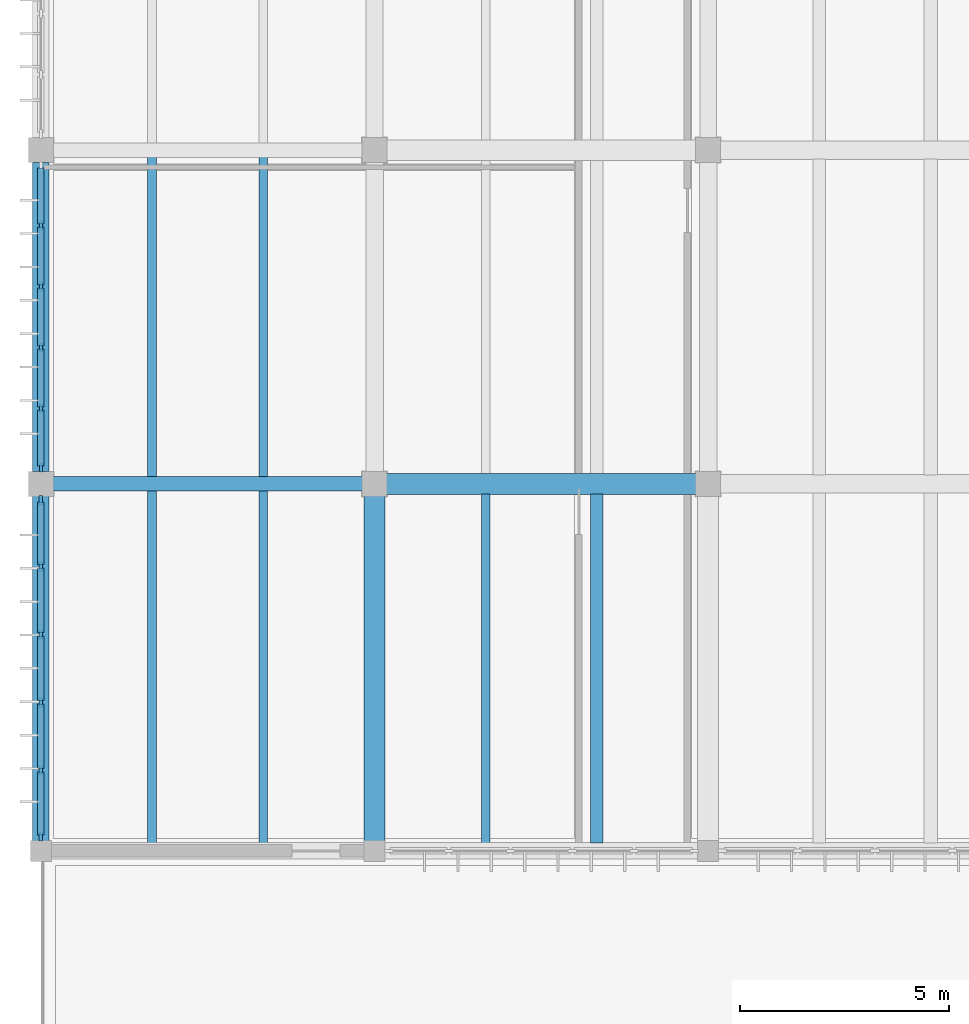
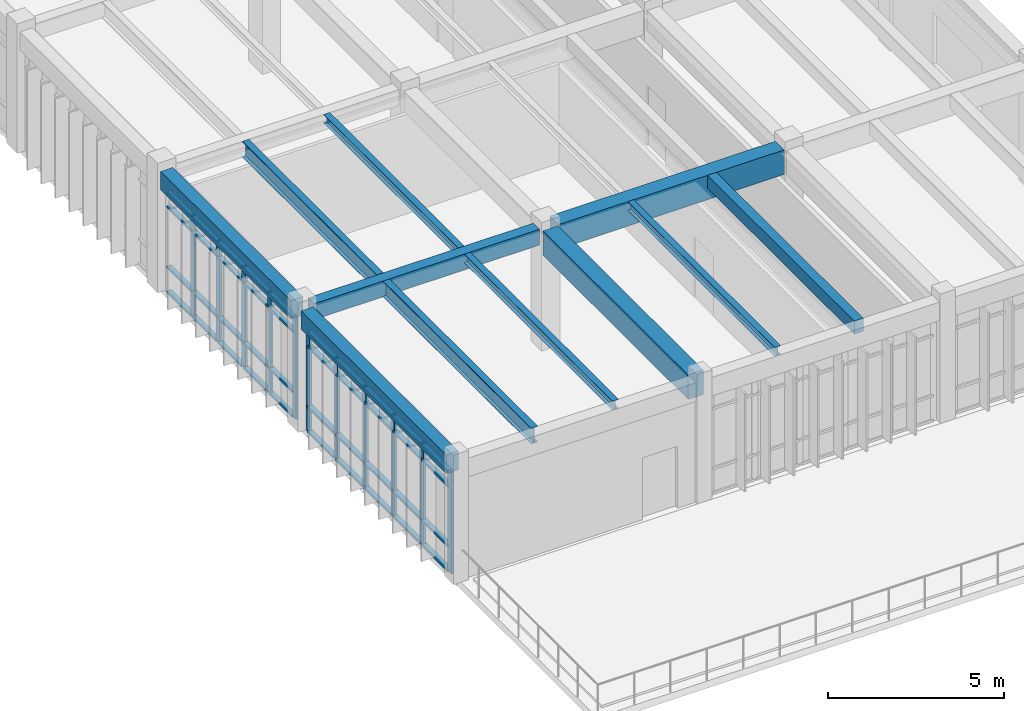
# One storey, part 5 of 72: 51 members, 11 beams, 2 elements without a shape of their own.
"""IFC4 building model written with IfcOpenShell, lengths in metres."""

from ifc_helpers import new_model, si_unit, direction, frame, origin, origin_2d, place, context, subcontext, project, spatial, rectangle, i_section, extrude, material, material_profile, profile_set, type_object, element, aggregate, save


model = new_model("IFC4")

# Units and contexts
model_context = context("Model", 3, precision=1e-05, world=origin(), true_north=direction((0.0, 1.0)))
body_context = subcontext(model_context, "Body", "Model", "MODEL_VIEW")
ifc_project = project(units=[si_unit("LENGTHUNIT", "METRE"), si_unit("AREAUNIT", "SQUARE_METRE"), si_unit("VOLUMEUNIT", "CUBIC_METRE"), si_unit("PLANEANGLEUNIT", "RADIAN"), si_unit("MASSUNIT", "GRAM", prefix="KILO")], contexts=[model_context])

# Site, building, storey
site_placement = place(None, origin())
site = spatial("IfcSite", under=ifc_project, at=site_placement, CompositionType="ELEMENT")
building_placement = place(site_placement, origin())
building = spatial("IfcBuilding", under=site, at=building_placement, Name="Tlaxcora Railside Police Headquarters", CompositionType="ELEMENT")
storey_placement = place(building_placement, frame((0.0, 0.0, 13.5)))
storey = spatial("IfcBuildingStorey", under=building, at=storey_placement, Name="L03", CompositionType="ELEMENT", Elevation=13.5)

# Curtain wall, members
ifc_material_1 = material(Name="Thermally broken low-E insulated glazing", Category="glass")
curtain_wall_type_1 = type_object("IfcCurtainWallType", Name="Unitised Curtain Wall Assembly CW-15", PredefinedType="NOTDEFINED", material=ifc_material_1)
curtain_wall_1_placement = place(storey_placement, origin())
curtain_wall_1 = element("IfcCurtainWall", 1, at=curtain_wall_1_placement, inside=storey, type_object=curtain_wall_type_1, Name="V5 L03 curtain wall 86", PredefinedType="NOTDEFINED")
ifc_material_2 = material(Name="Anodised aluminium framing", Category="aluminium")
ifc_material_profile_1 = material_profile(ifc_material_2, rectangle(XDim=0.074951171875, YDim=0.199951171875, at=origin_2d()), Name="AL75X200")
ifc_profile_set_1 = profile_set([ifc_material_profile_1], Name="Anodised aluminium framing")
member_type_1 = type_object("IfcMemberType", Name="Curtain Wall Mullion CW-58", PredefinedType="MULLION", material=ifc_profile_set_1)
member_1_placement = place(storey_placement, frame((5.199951171875, 66.989990234375, 0.0), z_axis=(0.0, 0.0, 1.0), x_axis=(1.0, 0.0, 0.0)))
member_1 = element("IfcMember", 2, at=member_1_placement, type_object=member_type_1, Name="CW mullion 2", PredefinedType="MULLION", context=body_context, shape_type="SweptSolid", body=[
    extrude(rectangle(XDim=0.074951171875, YDim=0.199951171875, at=origin_2d()), origin(), (0.0, 0.0, 1.0), 3.52001953125),
])
member_2_placement = place(storey_placement, frame((5.199951171875, 65.530029296875, 0.0), z_axis=(0.0, 0.0, 1.0), x_axis=(1.0, 0.0, 0.0)))
member_2 = element("IfcMember", 3, at=member_2_placement, type_object=member_type_1, Name="CW mullion 3", PredefinedType="MULLION", context=body_context, shape_type="SweptSolid", body=[
    extrude(rectangle(XDim=0.074951171875, YDim=0.199951171875, at=origin_2d()), origin(), (0.0, 0.0, 1.0), 3.52001953125),
])
member_3_placement = place(storey_placement, frame((5.199951171875, 64.070068359375, 0.0), z_axis=(0.0, 0.0, 1.0), x_axis=(1.0, 0.0, 0.0)))
member_3 = element("IfcMember", 4, at=member_3_placement, type_object=member_type_1, Name="CW mullion 4", PredefinedType="MULLION", context=body_context, shape_type="SweptSolid", body=[
    extrude(rectangle(XDim=0.074951171875, YDim=0.199951171875, at=origin_2d()), origin(), (0.0, 0.0, 1.0), 3.52001953125),
])
member_4_placement = place(storey_placement, frame((5.199951171875, 62.610107421875, 0.0), z_axis=(0.0, 0.0, 1.0), x_axis=(1.0, 0.0, 0.0)))
member_4 = element("IfcMember", 5, at=member_4_placement, type_object=member_type_1, Name="CW mullion 5", PredefinedType="MULLION", context=body_context, shape_type="SweptSolid", body=[
    extrude(rectangle(XDim=0.074951171875, YDim=0.199951171875, at=origin_2d()), origin(), (0.0, 0.0, 1.0), 3.52001953125),
])
member_5_placement = place(storey_placement, frame((5.199951171875, 61.1875, 0.0), z_axis=(0.0, 0.0, 1.0), x_axis=(1.0, 0.0, 0.0)))
member_5 = element("IfcMember", 6, at=member_5_placement, type_object=member_type_1, Name="CW mullion 6", PredefinedType="MULLION", context=body_context, shape_type="SweptSolid", body=[
    extrude(rectangle(XDim=0.074951171875, YDim=0.199951171875, at=origin_2d()), origin(), (0.0, 0.0, 1.0), 3.52001953125),
])

curtain_wall_type_2 = type_object("IfcCurtainWallType", Name="Unitised Curtain Wall Assembly CW-83", PredefinedType="NOTDEFINED", material=ifc_material_1)
curtain_wall_2_placement = place(storey_placement, origin())
curtain_wall_2 = element("IfcCurtainWall", 7, at=curtain_wall_2_placement, inside=storey, type_object=curtain_wall_type_2, Name="V5 L03 curtain wall 87", PredefinedType="NOTDEFINED")
ifc_material_profile_2 = material_profile(ifc_material_2, rectangle(XDim=0.080078125, YDim=0.2099609375, at=origin_2d()), Name="AL80X210")
ifc_profile_set_2 = profile_set([ifc_material_profile_2], Name="Anodised aluminium framing")
member_type_2 = type_object("IfcMemberType", Name="Curtain Wall Mullion CW-76", PredefinedType="MULLION", material=ifc_profile_set_2)
member_6_placement = place(storey_placement, frame((5.199951171875, 60.409912109375, 0.0), z_axis=(0.0, 0.0, 1.0), x_axis=(1.0, 0.0, 0.0)))
member_6 = element("IfcMember", 8, at=member_6_placement, type_object=member_type_2, Name="CW mullion 1", PredefinedType="MULLION", context=body_context, shape_type="SweptSolid", body=[
    extrude(rectangle(XDim=0.080078125, YDim=0.2099609375, at=origin_2d()), origin(), (0.0, 0.0, 1.0), 3.52001953125),
])
member_7_placement = place(storey_placement, frame((5.199951171875, 58.820068359375, 0.0), z_axis=(0.0, 0.0, 1.0), x_axis=(1.0, 0.0, 0.0)))
member_7 = element("IfcMember", 9, at=member_7_placement, type_object=member_type_2, Name="CW mullion 2", PredefinedType="MULLION", context=body_context, shape_type="SweptSolid", body=[
    extrude(rectangle(XDim=0.080078125, YDim=0.2099609375, at=origin_2d()), origin(), (0.0, 0.0, 1.0), 3.52001953125),
])
member_8_placement = place(storey_placement, frame((5.199951171875, 57.18994140625, 0.0), z_axis=(0.0, 0.0, 1.0), x_axis=(1.0, 0.0, 0.0)))
member_8 = element("IfcMember", 10, at=member_8_placement, type_object=member_type_2, Name="CW mullion 3", PredefinedType="MULLION", context=body_context, shape_type="SweptSolid", body=[
    extrude(rectangle(XDim=0.080078125, YDim=0.2099609375, at=origin_2d()), origin(), (0.0, 0.0, 1.0), 3.52001953125),
])
member_9_placement = place(storey_placement, frame((5.199951171875, 55.56005859375, 0.0), z_axis=(0.0, 0.0, 1.0), x_axis=(1.0, 0.0, 0.0)))
member_9 = element("IfcMember", 11, at=member_9_placement, type_object=member_type_2, Name="CW mullion 4", PredefinedType="MULLION", context=body_context, shape_type="SweptSolid", body=[
    extrude(rectangle(XDim=0.080078125, YDim=0.2099609375, at=origin_2d()), origin(), (0.0, 0.0, 1.0), 3.52001953125),
])
member_10_placement = place(storey_placement, frame((5.199951171875, 53.929931640625, 0.0), z_axis=(0.0, 0.0, 1.0), x_axis=(1.0, 0.0, 0.0)))
member_10 = element("IfcMember", 12, at=member_10_placement, type_object=member_type_2, Name="CW mullion 5", PredefinedType="MULLION", context=body_context, shape_type="SweptSolid", body=[
    extrude(rectangle(XDim=0.080078125, YDim=0.2099609375, at=origin_2d()), origin(), (0.0, 0.0, 1.0), 3.52001953125),
])
member_11_placement = place(storey_placement, frame((5.199951171875, 52.340087890625, 0.0), z_axis=(0.0, 0.0, 1.0), x_axis=(1.0, 0.0, 0.0)))
member_11 = element("IfcMember", 13, at=member_11_placement, type_object=member_type_2, Name="CW mullion 6", PredefinedType="MULLION", context=body_context, shape_type="SweptSolid", body=[
    extrude(rectangle(XDim=0.080078125, YDim=0.2099609375, at=origin_2d()), origin(), (0.0, 0.0, 1.0), 3.52001953125),
])

# Member
ifc_material_profile_3 = material_profile(ifc_material_2, rectangle(XDim=0.14990234375, YDim=0.074951171875, at=origin_2d()), Name="AL75X150")
ifc_profile_set_3 = profile_set([ifc_material_profile_3], Name="Anodised aluminium framing")
member_type_3 = type_object("IfcMemberType", Name="Curtain Wall Transom CW-28", PredefinedType="USERDEFINED", material=ifc_profile_set_3)
member_12_placement = place(storey_placement, frame((5.199951171875, 68.375, 0.03759765625), z_axis=(0.0, -1.0, 0.0), x_axis=(1.0, 0.0, 0.0)))
member_12 = element("IfcMember", 14, at=member_12_placement, type_object=member_type_3, Name="CW transom 1.1", ObjectType="TRANSOM", PredefinedType="USERDEFINED", context=body_context, shape_type="SweptSolid", body=[
    extrude(rectangle(XDim=0.14990234375, YDim=0.074951171875, at=origin_2d()), origin(), (0.0, 0.0, 1.0), 1.347412109375),
])

member_13_placement = place(storey_placement, frame((5.199951171875, 68.375, 0.89990234375), z_axis=(0.0, -1.0, 0.0), x_axis=(1.0, 0.0, 0.0)))
member_13 = element("IfcMember", 15, at=member_13_placement, type_object=member_type_3, Name="CW transom 1.2", ObjectType="TRANSOM", PredefinedType="USERDEFINED", context=body_context, shape_type="SweptSolid", body=[
    extrude(rectangle(XDim=0.14990234375, YDim=0.074951171875, at=origin_2d()), origin(), (0.0, 0.0, 1.0), 1.347412109375),
])

member_14_placement = place(storey_placement, frame((5.199951171875, 68.375, 2.989990234375), z_axis=(0.0, -1.0, 0.0), x_axis=(1.0, 0.0, 0.0)))
member_14 = element("IfcMember", 16, at=member_14_placement, type_object=member_type_3, Name="CW transom 1.3", ObjectType="TRANSOM", PredefinedType="USERDEFINED", context=body_context, shape_type="SweptSolid", body=[
    extrude(rectangle(XDim=0.14990234375, YDim=0.074951171875, at=origin_2d()), origin(), (0.0, 0.0, 1.0), 1.347412109375),
])

member_15_placement = place(storey_placement, frame((5.199951171875, 68.375, 3.482421875), z_axis=(0.0, -1.0, 0.0), x_axis=(1.0, 0.0, 0.0)))
member_15 = element("IfcMember", 17, at=member_15_placement, type_object=member_type_3, Name="CW transom 1.4", ObjectType="TRANSOM", PredefinedType="USERDEFINED", context=body_context, shape_type="SweptSolid", body=[
    extrude(rectangle(XDim=0.14990234375, YDim=0.074951171875, at=origin_2d()), origin(), (0.0, 0.0, 1.0), 1.347412109375),
])

member_16_placement = place(storey_placement, frame((5.199951171875, 66.952392578125, 0.03759765625), z_axis=(0.0, -1.0, 0.0), x_axis=(1.0, 0.0, 0.0)))
member_16 = element("IfcMember", 18, at=member_16_placement, type_object=member_type_3, Name="CW transom 2.1", ObjectType="TRANSOM", PredefinedType="USERDEFINED", context=body_context, shape_type="SweptSolid", body=[
    extrude(rectangle(XDim=0.14990234375, YDim=0.074951171875, at=origin_2d()), origin(), (0.0, 0.0, 1.0), 1.385009765625),
])

member_17_placement = place(storey_placement, frame((5.199951171875, 66.952392578125, 0.89990234375), z_axis=(0.0, -1.0, 0.0), x_axis=(1.0, 0.0, 0.0)))
member_17 = element("IfcMember", 19, at=member_17_placement, type_object=member_type_3, Name="CW transom 2.2", ObjectType="TRANSOM", PredefinedType="USERDEFINED", context=body_context, shape_type="SweptSolid", body=[
    extrude(rectangle(XDim=0.14990234375, YDim=0.074951171875, at=origin_2d()), origin(), (0.0, 0.0, 1.0), 1.385009765625),
])

member_18_placement = place(storey_placement, frame((5.199951171875, 66.952392578125, 2.989990234375), z_axis=(0.0, -1.0, 0.0), x_axis=(1.0, 0.0, 0.0)))
member_18 = element("IfcMember", 20, at=member_18_placement, type_object=member_type_3, Name="CW transom 2.3", ObjectType="TRANSOM", PredefinedType="USERDEFINED", context=body_context, shape_type="SweptSolid", body=[
    extrude(rectangle(XDim=0.14990234375, YDim=0.074951171875, at=origin_2d()), origin(), (0.0, 0.0, 1.0), 1.385009765625),
])

member_19_placement = place(storey_placement, frame((5.199951171875, 66.952392578125, 3.482421875), z_axis=(0.0, -1.0, 0.0), x_axis=(1.0, 0.0, 0.0)))
member_19 = element("IfcMember", 21, at=member_19_placement, type_object=member_type_3, Name="CW transom 2.4", ObjectType="TRANSOM", PredefinedType="USERDEFINED", context=body_context, shape_type="SweptSolid", body=[
    extrude(rectangle(XDim=0.14990234375, YDim=0.074951171875, at=origin_2d()), origin(), (0.0, 0.0, 1.0), 1.385009765625),
])

member_20_placement = place(storey_placement, frame((5.199951171875, 65.492431640625, 0.03759765625), z_axis=(0.0, -1.0, 0.0), x_axis=(1.0, 0.0, 0.0)))
member_20 = element("IfcMember", 22, at=member_20_placement, type_object=member_type_3, Name="CW transom 3.1", ObjectType="TRANSOM", PredefinedType="USERDEFINED", context=body_context, shape_type="SweptSolid", body=[
    extrude(rectangle(XDim=0.14990234375, YDim=0.074951171875, at=origin_2d()), origin(), (0.0, 0.0, 1.0), 1.385009765625),
])

member_21_placement = place(storey_placement, frame((5.199951171875, 65.492431640625, 0.89990234375), z_axis=(0.0, -1.0, 0.0), x_axis=(1.0, 0.0, 0.0)))
member_21 = element("IfcMember", 23, at=member_21_placement, type_object=member_type_3, Name="CW transom 3.2", ObjectType="TRANSOM", PredefinedType="USERDEFINED", context=body_context, shape_type="SweptSolid", body=[
    extrude(rectangle(XDim=0.14990234375, YDim=0.074951171875, at=origin_2d()), origin(), (0.0, 0.0, 1.0), 1.385009765625),
])

member_22_placement = place(storey_placement, frame((5.199951171875, 65.492431640625, 2.989990234375), z_axis=(0.0, -1.0, 0.0), x_axis=(1.0, 0.0, 0.0)))
member_22 = element("IfcMember", 24, at=member_22_placement, type_object=member_type_3, Name="CW transom 3.3", ObjectType="TRANSOM", PredefinedType="USERDEFINED", context=body_context, shape_type="SweptSolid", body=[
    extrude(rectangle(XDim=0.14990234375, YDim=0.074951171875, at=origin_2d()), origin(), (0.0, 0.0, 1.0), 1.385009765625),
])

member_23_placement = place(storey_placement, frame((5.199951171875, 65.492431640625, 3.482421875), z_axis=(0.0, -1.0, 0.0), x_axis=(1.0, 0.0, 0.0)))
member_23 = element("IfcMember", 25, at=member_23_placement, type_object=member_type_3, Name="CW transom 3.4", ObjectType="TRANSOM", PredefinedType="USERDEFINED", context=body_context, shape_type="SweptSolid", body=[
    extrude(rectangle(XDim=0.14990234375, YDim=0.074951171875, at=origin_2d()), origin(), (0.0, 0.0, 1.0), 1.385009765625),
])

member_24_placement = place(storey_placement, frame((5.199951171875, 64.032470703125, 0.03759765625), z_axis=(0.0, -1.0, 0.0), x_axis=(1.0, 0.0, 0.0)))
member_24 = element("IfcMember", 26, at=member_24_placement, type_object=member_type_3, Name="CW transom 4.1", ObjectType="TRANSOM", PredefinedType="USERDEFINED", context=body_context, shape_type="SweptSolid", body=[
    extrude(rectangle(XDim=0.14990234375, YDim=0.074951171875, at=origin_2d()), origin(), (0.0, 0.0, 1.0), 1.385009765625),
])

member_25_placement = place(storey_placement, frame((5.199951171875, 64.032470703125, 0.89990234375), z_axis=(0.0, -1.0, 0.0), x_axis=(1.0, 0.0, 0.0)))
member_25 = element("IfcMember", 27, at=member_25_placement, type_object=member_type_3, Name="CW transom 4.2", ObjectType="TRANSOM", PredefinedType="USERDEFINED", context=body_context, shape_type="SweptSolid", body=[
    extrude(rectangle(XDim=0.14990234375, YDim=0.074951171875, at=origin_2d()), origin(), (0.0, 0.0, 1.0), 1.385009765625),
])

member_26_placement = place(storey_placement, frame((5.199951171875, 64.032470703125, 2.989990234375), z_axis=(0.0, -1.0, 0.0), x_axis=(1.0, 0.0, 0.0)))
member_26 = element("IfcMember", 28, at=member_26_placement, type_object=member_type_3, Name="CW transom 4.3", ObjectType="TRANSOM", PredefinedType="USERDEFINED", context=body_context, shape_type="SweptSolid", body=[
    extrude(rectangle(XDim=0.14990234375, YDim=0.074951171875, at=origin_2d()), origin(), (0.0, 0.0, 1.0), 1.385009765625),
])

member_27_placement = place(storey_placement, frame((5.199951171875, 64.032470703125, 3.482421875), z_axis=(0.0, -1.0, 0.0), x_axis=(1.0, 0.0, 0.0)))
member_27 = element("IfcMember", 29, at=member_27_placement, type_object=member_type_3, Name="CW transom 4.4", ObjectType="TRANSOM", PredefinedType="USERDEFINED", context=body_context, shape_type="SweptSolid", body=[
    extrude(rectangle(XDim=0.14990234375, YDim=0.074951171875, at=origin_2d()), origin(), (0.0, 0.0, 1.0), 1.385009765625),
])

member_28_placement = place(storey_placement, frame((5.199951171875, 62.572509765625, 0.03759765625), z_axis=(0.0, -1.0, 0.0), x_axis=(1.0, 0.0, 0.0)))
member_28 = element("IfcMember", 30, at=member_28_placement, type_object=member_type_3, Name="CW transom 5.1", ObjectType="TRANSOM", PredefinedType="USERDEFINED", context=body_context, shape_type="SweptSolid", body=[
    extrude(rectangle(XDim=0.14990234375, YDim=0.074951171875, at=origin_2d()), origin(), (0.0, 0.0, 1.0), 1.347412109375),
])

member_29_placement = place(storey_placement, frame((5.199951171875, 62.572509765625, 0.89990234375), z_axis=(0.0, -1.0, 0.0), x_axis=(1.0, 0.0, 0.0)))
member_29 = element("IfcMember", 31, at=member_29_placement, type_object=member_type_3, Name="CW transom 5.2", ObjectType="TRANSOM", PredefinedType="USERDEFINED", context=body_context, shape_type="SweptSolid", body=[
    extrude(rectangle(XDim=0.14990234375, YDim=0.074951171875, at=origin_2d()), origin(), (0.0, 0.0, 1.0), 1.347412109375),
])

member_30_placement = place(storey_placement, frame((5.199951171875, 62.572509765625, 2.989990234375), z_axis=(0.0, -1.0, 0.0), x_axis=(1.0, 0.0, 0.0)))
member_30 = element("IfcMember", 32, at=member_30_placement, type_object=member_type_3, Name="CW transom 5.3", ObjectType="TRANSOM", PredefinedType="USERDEFINED", context=body_context, shape_type="SweptSolid", body=[
    extrude(rectangle(XDim=0.14990234375, YDim=0.074951171875, at=origin_2d()), origin(), (0.0, 0.0, 1.0), 1.347412109375),
])

member_31_placement = place(storey_placement, frame((5.199951171875, 62.572509765625, 3.482421875), z_axis=(0.0, -1.0, 0.0), x_axis=(1.0, 0.0, 0.0)))
member_31 = element("IfcMember", 33, at=member_31_placement, type_object=member_type_3, Name="CW transom 5.4", ObjectType="TRANSOM", PredefinedType="USERDEFINED", context=body_context, shape_type="SweptSolid", body=[
    extrude(rectangle(XDim=0.14990234375, YDim=0.074951171875, at=origin_2d()), origin(), (0.0, 0.0, 1.0), 1.347412109375),
])

aggregate(curtain_wall_1, [member_1, member_2, member_3, member_4, member_5, member_12, member_13, member_14, member_15, member_16, member_17, member_18, member_19, member_20, member_21, member_22, member_23, member_24, member_25, member_26, member_27, member_28, member_29, member_30, member_31])

ifc_material_profile_4 = material_profile(ifc_material_2, rectangle(XDim=0.159912109375, YDim=0.080078125, at=origin_2d()), Name="AL80X160")
ifc_profile_set_4 = profile_set([ifc_material_profile_4], Name="Anodised aluminium framing")
member_type_4 = type_object("IfcMemberType", Name="Curtain Wall Transom CW-82", PredefinedType="USERDEFINED", material=ifc_profile_set_4)
member_32_placement = place(storey_placement, frame((5.199951171875, 60.3701171875, 0.0400390625), z_axis=(0.0, -1.0, 0.0), x_axis=(1.0, 0.0, 0.0)))
member_32 = element("IfcMember", 34, at=member_32_placement, type_object=member_type_4, Name="CW transom 1.1", ObjectType="TRANSOM", PredefinedType="USERDEFINED", context=body_context, shape_type="SweptSolid", body=[
    extrude(rectangle(XDim=0.159912109375, YDim=0.080078125, at=origin_2d()), origin(), (0.0, 0.0, 1.0), 1.510009765625),
])

member_33_placement = place(storey_placement, frame((5.199951171875, 60.3701171875, 0.89990234375), z_axis=(0.0, -1.0, 0.0), x_axis=(1.0, 0.0, 0.0)))
member_33 = element("IfcMember", 35, at=member_33_placement, type_object=member_type_4, Name="CW transom 1.2", ObjectType="TRANSOM", PredefinedType="USERDEFINED", context=body_context, shape_type="SweptSolid", body=[
    extrude(rectangle(XDim=0.159912109375, YDim=0.080078125, at=origin_2d()), origin(), (0.0, 0.0, 1.0), 1.510009765625),
])

member_34_placement = place(storey_placement, frame((5.199951171875, 60.3701171875, 2.989990234375), z_axis=(0.0, -1.0, 0.0), x_axis=(1.0, 0.0, 0.0)))
member_34 = element("IfcMember", 36, at=member_34_placement, type_object=member_type_4, Name="CW transom 1.3", ObjectType="TRANSOM", PredefinedType="USERDEFINED", context=body_context, shape_type="SweptSolid", body=[
    extrude(rectangle(XDim=0.159912109375, YDim=0.080078125, at=origin_2d()), origin(), (0.0, 0.0, 1.0), 1.510009765625),
])

member_35_placement = place(storey_placement, frame((5.199951171875, 60.3701171875, 3.47998046875), z_axis=(0.0, -1.0, 0.0), x_axis=(1.0, 0.0, 0.0)))
member_35 = element("IfcMember", 37, at=member_35_placement, type_object=member_type_4, Name="CW transom 1.4", ObjectType="TRANSOM", PredefinedType="USERDEFINED", context=body_context, shape_type="SweptSolid", body=[
    extrude(rectangle(XDim=0.159912109375, YDim=0.080078125, at=origin_2d()), origin(), (0.0, 0.0, 1.0), 1.510009765625),
])

member_36_placement = place(storey_placement, frame((5.199951171875, 58.780029296875, 0.0400390625), z_axis=(0.0, -1.0, 0.0), x_axis=(1.0, 0.0, 0.0)))
member_36 = element("IfcMember", 38, at=member_36_placement, type_object=member_type_4, Name="CW transom 2.1", ObjectType="TRANSOM", PredefinedType="USERDEFINED", context=body_context, shape_type="SweptSolid", body=[
    extrude(rectangle(XDim=0.159912109375, YDim=0.080078125, at=origin_2d()), origin(), (0.0, 0.0, 1.0), 1.550048828125),
])

member_37_placement = place(storey_placement, frame((5.199951171875, 58.780029296875, 0.89990234375), z_axis=(0.0, -1.0, 0.0), x_axis=(1.0, 0.0, 0.0)))
member_37 = element("IfcMember", 39, at=member_37_placement, type_object=member_type_4, Name="CW transom 2.2", ObjectType="TRANSOM", PredefinedType="USERDEFINED", context=body_context, shape_type="SweptSolid", body=[
    extrude(rectangle(XDim=0.159912109375, YDim=0.080078125, at=origin_2d()), origin(), (0.0, 0.0, 1.0), 1.550048828125),
])

member_38_placement = place(storey_placement, frame((5.199951171875, 58.780029296875, 2.989990234375), z_axis=(0.0, -1.0, 0.0), x_axis=(1.0, 0.0, 0.0)))
member_38 = element("IfcMember", 40, at=member_38_placement, type_object=member_type_4, Name="CW transom 2.3", ObjectType="TRANSOM", PredefinedType="USERDEFINED", context=body_context, shape_type="SweptSolid", body=[
    extrude(rectangle(XDim=0.159912109375, YDim=0.080078125, at=origin_2d()), origin(), (0.0, 0.0, 1.0), 1.550048828125),
])

member_39_placement = place(storey_placement, frame((5.199951171875, 58.780029296875, 3.47998046875), z_axis=(0.0, -1.0, 0.0), x_axis=(1.0, 0.0, 0.0)))
member_39 = element("IfcMember", 41, at=member_39_placement, type_object=member_type_4, Name="CW transom 2.4", ObjectType="TRANSOM", PredefinedType="USERDEFINED", context=body_context, shape_type="SweptSolid", body=[
    extrude(rectangle(XDim=0.159912109375, YDim=0.080078125, at=origin_2d()), origin(), (0.0, 0.0, 1.0), 1.550048828125),
])

member_40_placement = place(storey_placement, frame((5.199951171875, 57.14990234375, 0.0400390625), z_axis=(0.0, -1.0, 0.0), x_axis=(1.0, 0.0, 0.0)))
member_40 = element("IfcMember", 42, at=member_40_placement, type_object=member_type_4, Name="CW transom 3.1", ObjectType="TRANSOM", PredefinedType="USERDEFINED", context=body_context, shape_type="SweptSolid", body=[
    extrude(rectangle(XDim=0.159912109375, YDim=0.080078125, at=origin_2d()), origin(), (0.0, 0.0, 1.0), 1.5498046875),
])

member_41_placement = place(storey_placement, frame((5.199951171875, 57.14990234375, 0.89990234375), z_axis=(0.0, -1.0, 0.0), x_axis=(1.0, 0.0, 0.0)))
member_41 = element("IfcMember", 43, at=member_41_placement, type_object=member_type_4, Name="CW transom 3.2", ObjectType="TRANSOM", PredefinedType="USERDEFINED", context=body_context, shape_type="SweptSolid", body=[
    extrude(rectangle(XDim=0.159912109375, YDim=0.080078125, at=origin_2d()), origin(), (0.0, 0.0, 1.0), 1.5498046875),
])

member_42_placement = place(storey_placement, frame((5.199951171875, 57.14990234375, 2.989990234375), z_axis=(0.0, -1.0, 0.0), x_axis=(1.0, 0.0, 0.0)))
member_42 = element("IfcMember", 44, at=member_42_placement, type_object=member_type_4, Name="CW transom 3.3", ObjectType="TRANSOM", PredefinedType="USERDEFINED", context=body_context, shape_type="SweptSolid", body=[
    extrude(rectangle(XDim=0.159912109375, YDim=0.080078125, at=origin_2d()), origin(), (0.0, 0.0, 1.0), 1.5498046875),
])

member_43_placement = place(storey_placement, frame((5.199951171875, 57.14990234375, 3.47998046875), z_axis=(0.0, -1.0, 0.0), x_axis=(1.0, 0.0, 0.0)))
member_43 = element("IfcMember", 45, at=member_43_placement, type_object=member_type_4, Name="CW transom 3.4", ObjectType="TRANSOM", PredefinedType="USERDEFINED", context=body_context, shape_type="SweptSolid", body=[
    extrude(rectangle(XDim=0.159912109375, YDim=0.080078125, at=origin_2d()), origin(), (0.0, 0.0, 1.0), 1.5498046875),
])

member_44_placement = place(storey_placement, frame((5.199951171875, 55.52001953125, 0.0400390625), z_axis=(0.0, -1.0, 0.0), x_axis=(1.0, 0.0, 0.0)))
member_44 = element("IfcMember", 46, at=member_44_placement, type_object=member_type_4, Name="CW transom 4.1", ObjectType="TRANSOM", PredefinedType="USERDEFINED", context=body_context, shape_type="SweptSolid", body=[
    extrude(rectangle(XDim=0.159912109375, YDim=0.080078125, at=origin_2d()), origin(), (0.0, 0.0, 1.0), 1.550048828125),
])

member_45_placement = place(storey_placement, frame((5.199951171875, 55.52001953125, 0.89990234375), z_axis=(0.0, -1.0, 0.0), x_axis=(1.0, 0.0, 0.0)))
member_45 = element("IfcMember", 47, at=member_45_placement, type_object=member_type_4, Name="CW transom 4.2", ObjectType="TRANSOM", PredefinedType="USERDEFINED", context=body_context, shape_type="SweptSolid", body=[
    extrude(rectangle(XDim=0.159912109375, YDim=0.080078125, at=origin_2d()), origin(), (0.0, 0.0, 1.0), 1.550048828125),
])

member_46_placement = place(storey_placement, frame((5.199951171875, 55.52001953125, 2.989990234375), z_axis=(0.0, -1.0, 0.0), x_axis=(1.0, 0.0, 0.0)))
member_46 = element("IfcMember", 48, at=member_46_placement, type_object=member_type_4, Name="CW transom 4.3", ObjectType="TRANSOM", PredefinedType="USERDEFINED", context=body_context, shape_type="SweptSolid", body=[
    extrude(rectangle(XDim=0.159912109375, YDim=0.080078125, at=origin_2d()), origin(), (0.0, 0.0, 1.0), 1.550048828125),
])

member_47_placement = place(storey_placement, frame((5.199951171875, 55.52001953125, 3.47998046875), z_axis=(0.0, -1.0, 0.0), x_axis=(1.0, 0.0, 0.0)))
member_47 = element("IfcMember", 49, at=member_47_placement, type_object=member_type_4, Name="CW transom 4.4", ObjectType="TRANSOM", PredefinedType="USERDEFINED", context=body_context, shape_type="SweptSolid", body=[
    extrude(rectangle(XDim=0.159912109375, YDim=0.080078125, at=origin_2d()), origin(), (0.0, 0.0, 1.0), 1.550048828125),
])

member_48_placement = place(storey_placement, frame((5.199951171875, 53.889892578125, 0.0400390625), z_axis=(0.0, -1.0, 0.0), x_axis=(1.0, 0.0, 0.0)))
member_48 = element("IfcMember", 50, at=member_48_placement, type_object=member_type_4, Name="CW transom 5.1", ObjectType="TRANSOM", PredefinedType="USERDEFINED", context=body_context, shape_type="SweptSolid", body=[
    extrude(rectangle(XDim=0.159912109375, YDim=0.080078125, at=origin_2d()), origin(), (0.0, 0.0, 1.0), 1.510009765625),
])

member_49_placement = place(storey_placement, frame((5.199951171875, 53.889892578125, 0.89990234375), z_axis=(0.0, -1.0, 0.0), x_axis=(1.0, 0.0, 0.0)))
member_49 = element("IfcMember", 51, at=member_49_placement, type_object=member_type_4, Name="CW transom 5.2", ObjectType="TRANSOM", PredefinedType="USERDEFINED", context=body_context, shape_type="SweptSolid", body=[
    extrude(rectangle(XDim=0.159912109375, YDim=0.080078125, at=origin_2d()), origin(), (0.0, 0.0, 1.0), 1.510009765625),
])

member_50_placement = place(storey_placement, frame((5.199951171875, 53.889892578125, 2.989990234375), z_axis=(0.0, -1.0, 0.0), x_axis=(1.0, 0.0, 0.0)))
member_50 = element("IfcMember", 52, at=member_50_placement, type_object=member_type_4, Name="CW transom 5.3", ObjectType="TRANSOM", PredefinedType="USERDEFINED", context=body_context, shape_type="SweptSolid", body=[
    extrude(rectangle(XDim=0.159912109375, YDim=0.080078125, at=origin_2d()), origin(), (0.0, 0.0, 1.0), 1.510009765625),
])

member_51_placement = place(storey_placement, frame((5.199951171875, 53.889892578125, 3.47998046875), z_axis=(0.0, -1.0, 0.0), x_axis=(1.0, 0.0, 0.0)))
member_51 = element("IfcMember", 53, at=member_51_placement, type_object=member_type_4, Name="CW transom 5.4", ObjectType="TRANSOM", PredefinedType="USERDEFINED", context=body_context, shape_type="SweptSolid", body=[
    extrude(rectangle(XDim=0.159912109375, YDim=0.080078125, at=origin_2d()), origin(), (0.0, 0.0, 1.0), 1.510009765625),
])

aggregate(curtain_wall_2, [member_6, member_7, member_8, member_9, member_10, member_11, member_32, member_33, member_34, member_35, member_36, member_37, member_38, member_39, member_40, member_41, member_42, member_43, member_44, member_45, member_46, member_47, member_48, member_49, member_50, member_51])

# Beams
ifc_material_3 = material(Name="Concrete C40/50", Category="concrete")
ifc_material_profile_5 = material_profile(ifc_material_3, rectangle(XDim=0.39990234375, YDim=0.64990234375, at=origin_2d()), Name="RC400X650")
ifc_profile_set_5 = profile_set([ifc_material_profile_5], Name="Concrete C40/50")
beam_type_1 = type_object("IfcBeamType", Name="Perimeter Spandrel Beam BM-46", PredefinedType="SPANDREL", material=ifc_profile_set_5)
beam_1_placement = place(storey_placement, frame((5.199951171875, 52.239990234375, 3.864990234375), z_axis=(0.0, 1.0, 0.0), x_axis=(-1.0, 0.0, 0.0)))
element("IfcBeam", 54, at=beam_1_placement, inside=storey, type_object=beam_type_1, Name="V5 L03 Y-girder X=5.2", PredefinedType="SPANDREL", context=body_context, shape_type="SweptSolid", body=[
    extrude(rectangle(XDim=0.39990234375, YDim=0.64990234375, at=origin_2d()), origin(), (0.0, 0.0, 1.0), 8.27001953125),
])
beam_2_placement = place(storey_placement, frame((5.199951171875, 61.090087890625, 3.864990234375), z_axis=(0.0, 1.0, 0.0), x_axis=(-1.0, 0.0, 0.0)))
element("IfcBeam", 55, at=beam_2_placement, inside=storey, type_object=beam_type_1, Name="V5 L03 Y-girder X=5.2", PredefinedType="SPANDREL", context=body_context, shape_type="SweptSolid", body=[
    extrude(rectangle(XDim=0.39990234375, YDim=0.64990234375, at=origin_2d()), origin(), (0.0, 0.0, 1.0), 7.419921875),
])
ifc_material_profile_6 = material_profile(ifc_material_3, rectangle(XDim=0.35009765625, YDim=0.550048828125, at=origin_2d()), Name="RC350X550")
ifc_profile_set_6 = profile_set([ifc_material_profile_6], Name="Concrete C40/50")
beam_type_2 = type_object("IfcBeamType", Name="Primary Frame Girder BM-39", PredefinedType="BEAM", material=ifc_profile_set_6)
beam_3_placement = place(storey_placement, frame((5.489990234375, 60.800048828125, 3.9150390625), z_axis=(1.0, 0.0, 0.0), x_axis=(0.0, 1.0, 0.0)))
element("IfcBeam", 56, at=beam_3_placement, inside=storey, type_object=beam_type_2, Name="V5 L03 X-girder Y=60.8", PredefinedType="BEAM", context=body_context, shape_type="SweptSolid", body=[
    extrude(rectangle(XDim=0.35009765625, YDim=0.550048828125, at=origin_2d()), origin(), (0.0, 0.0, 1.0), 7.419921875),
])
ifc_material_profile_7 = material_profile(ifc_material_3, rectangle(XDim=0.5, YDim=0.85009765625, at=origin_2d()), Name="RC500X850")
ifc_profile_set_7 = profile_set([ifc_material_profile_7], Name="Concrete C40/50")
beam_type_3 = type_object("IfcBeamType", Name="Primary Frame Girder BM-64", PredefinedType="BEAM", material=ifc_profile_set_7)
beam_4_placement = place(storey_placement, frame((13.489990234375, 60.800048828125, 3.764892578125), z_axis=(1.0, 0.0, 0.0), x_axis=(0.0, 1.0, 0.0)))
element("IfcBeam", 57, at=beam_4_placement, inside=storey, type_object=beam_type_3, Name="V5 L03 X-girder Y=60.8", PredefinedType="BEAM", context=body_context, shape_type="SweptSolid", body=[
    extrude(rectangle(XDim=0.5, YDim=0.85009765625, at=origin_2d()), origin(), (0.0, 0.0, 1.0), 7.419921875),
])
beam_5_placement = place(storey_placement, frame((13.199951171875, 52.239990234375, 3.764892578125), z_axis=(0.0, 1.0, 0.0), x_axis=(-1.0, 0.0, 0.0)))
element("IfcBeam", 58, at=beam_5_placement, inside=storey, type_object=beam_type_3, Name="V5 L03 Y-girder X=13.2", PredefinedType="BEAM", context=body_context, shape_type="SweptSolid", body=[
    extrude(rectangle(XDim=0.5, YDim=0.85009765625, at=origin_2d()), origin(), (0.0, 0.0, 1.0), 8.27001953125),
])
ifc_material_4 = material(Name="Concrete C35/45", Category="concrete")
ifc_material_profile_8 = material_profile(ifc_material_4, rectangle(XDim=0.300048828125, YDim=0.449951171875, at=origin_2d()), Name="RC300X450")
ifc_profile_set_8 = profile_set([ifc_material_profile_8], Name="Concrete C35/45")
beam_type_4 = type_object("IfcBeamType", Name="Secondary Floor Joist BM-27", PredefinedType="JOIST", material=ifc_profile_set_8)
beam_6_placement = place(storey_placement, frame((18.533203125, 52.19189453125, 3.965087890625), z_axis=(0.0, 1.0, 0.0), x_axis=(-1.0, 0.0, 0.0)))
element("IfcBeam", 59, at=beam_6_placement, inside=storey, type_object=beam_type_4, Name="V5 L03 floor joist X=18.53", PredefinedType="JOIST", context=body_context, shape_type="SweptSolid", body=[
    extrude(rectangle(XDim=0.300048828125, YDim=0.449951171875, at=origin_2d()), origin(), (0.0, 0.0, 1.0), 8.3662109375),
])
ifc_material_5 = material(Name="Steel ASTM A992 Grade 50", Category="steel")
ifc_material_profile_9 = material_profile(ifc_material_5, i_section(OverallWidth=0.202880859375, OverallDepth=0.302978515625, WebThickness=0.007568359375, FlangeThickness=0.01318359375, at=origin_2d()), Name="W12X40")
ifc_profile_set_9 = profile_set([ifc_material_profile_9], Name="Steel ASTM A992 Grade 50")
beam_type_5 = type_object("IfcBeamType", Name="Secondary Floor Joist BM-96", PredefinedType="JOIST", material=ifc_profile_set_9)
beam_7_placement = place(storey_placement, frame((10.533203125, 52.19189453125, 4.03857421875), z_axis=(0.0, 1.0, 0.0), x_axis=(-1.0, 0.0, 0.0)))
element("IfcBeam", 60, at=beam_7_placement, inside=storey, type_object=beam_type_5, Name="V5 L03 floor joist X=10.53", PredefinedType="JOIST", context=body_context, shape_type="SweptSolid", body=[
    extrude(i_section(OverallWidth=0.202880859375, OverallDepth=0.302978515625, WebThickness=0.007568359375, FlangeThickness=0.01318359375, at=origin_2d()), origin(), (0.0, 0.0, 1.0), 8.441162109375),
])
beam_8_placement = place(storey_placement, frame((15.86669921875, 52.19189453125, 4.03857421875), z_axis=(0.0, 1.0, 0.0), x_axis=(-1.0, 0.0, 0.0)))
element("IfcBeam", 61, at=beam_8_placement, inside=storey, type_object=beam_type_5, Name="V5 L03 floor joist X=15.87", PredefinedType="JOIST", context=body_context, shape_type="SweptSolid", body=[
    extrude(i_section(OverallWidth=0.202880859375, OverallDepth=0.302978515625, WebThickness=0.007568359375, FlangeThickness=0.01318359375, at=origin_2d()), origin(), (0.0, 0.0, 1.0), 8.3662109375),
])
beam_9_placement = place(storey_placement, frame((10.533203125, 60.967041015625, 4.03857421875), z_axis=(0.0, 1.0, 0.0), x_axis=(-1.0, 0.0, 0.0)))
element("IfcBeam", 62, at=beam_9_placement, inside=storey, type_object=beam_type_5, Name="V5 L03 floor joist X=10.53", PredefinedType="JOIST", context=body_context, shape_type="SweptSolid", body=[
    extrude(i_section(OverallWidth=0.202880859375, OverallDepth=0.302978515625, WebThickness=0.007568359375, FlangeThickness=0.01318359375, at=origin_2d()), origin(), (0.0, 0.0, 1.0), 7.666015625),
])
ifc_material_profile_10 = material_profile(ifc_material_5, i_section(OverallWidth=0.214111328125, OverallDepth=0.549072265625, WebThickness=0.0146484375, FlangeThickness=0.023681640625, at=origin_2d()), Name="W21X93")
ifc_profile_set_10 = profile_set([ifc_material_profile_10], Name="Steel ASTM A992 Grade 50")
beam_type_6 = type_object("IfcBeamType", Name="Secondary Floor Joist BM-97", PredefinedType="JOIST", material=ifc_profile_set_10)
beam_10_placement = place(storey_placement, frame((7.86669921875, 52.19189453125, 3.91552734375), z_axis=(0.0, 1.0, 0.0), x_axis=(-1.0, 0.0, 0.0)))
element("IfcBeam", 63, at=beam_10_placement, inside=storey, type_object=beam_type_6, Name="V5 L03 floor joist X=7.87", PredefinedType="JOIST", context=body_context, shape_type="SweptSolid", body=[
    extrude(i_section(OverallWidth=0.214111328125, OverallDepth=0.549072265625, WebThickness=0.0146484375, FlangeThickness=0.023681640625, at=origin_2d()), origin(), (0.0, 0.0, 1.0), 8.441162109375),
])
beam_11_placement = place(storey_placement, frame((7.86669921875, 60.967041015625, 3.91552734375), z_axis=(0.0, 1.0, 0.0), x_axis=(-1.0, 0.0, 0.0)))
element("IfcBeam", 64, at=beam_11_placement, inside=storey, type_object=beam_type_6, Name="V5 L03 floor joist X=7.87", PredefinedType="JOIST", context=body_context, shape_type="SweptSolid", body=[
    extrude(i_section(OverallWidth=0.214111328125, OverallDepth=0.549072265625, WebThickness=0.0146484375, FlangeThickness=0.023681640625, at=origin_2d()), origin(), (0.0, 0.0, 1.0), 7.666015625),
])

save(model, "model.ifc")
